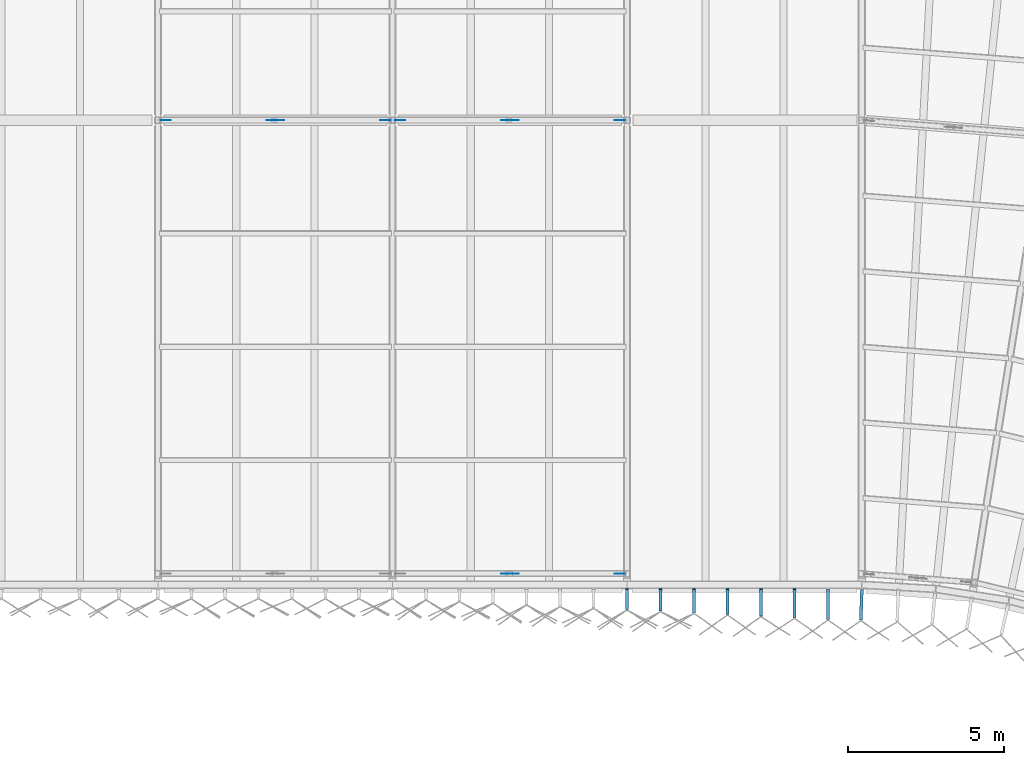
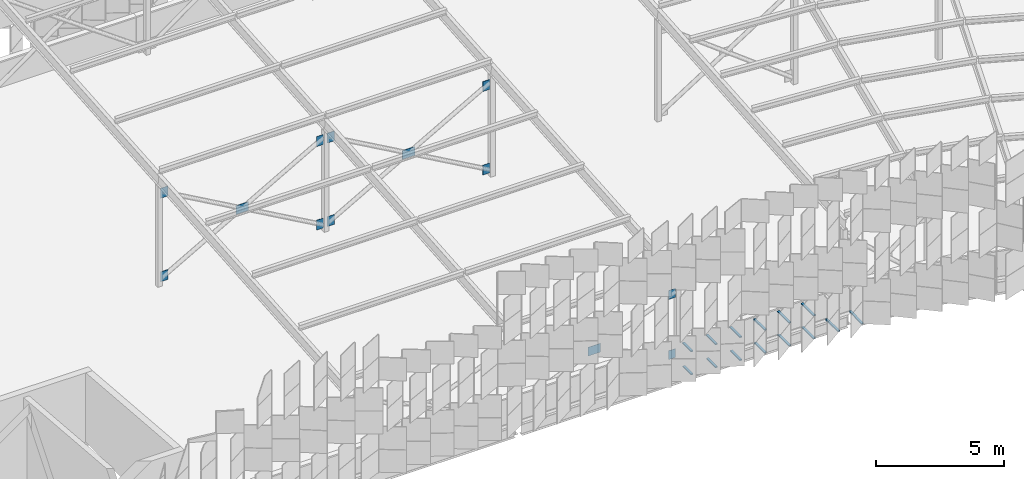
# One storey, part 447 of 483: 27 discrete accessories.
"""IFC4 building model written with IfcOpenShell, lengths in metres."""

import ifcopenshell
import ifcopenshell.guid

model = None  # the IFC model being written
_history = None  # IfcOwnerHistory: only IFC2X3 demands one
_inside = {}  # id of a spatial element -> (the spatial element, [elements in it])
_under = {}  # id of a project, library or spatial element -> (it, [spatial elements below it])
_declared = {}  # id of a project -> (the project, [libraries it declares])
_typed = {}  # id of a type object -> (the type object, [elements of that type])
_made_of = {}  # id of a material, layer set ... -> (it, [elements and type objects made of it])


def new_model(schema):
    """Start an empty IFC model of exactly this schema.

    Asked for "IFC4X3", IfcOpenShell would pick the latest addendum, in which some entities
    have other attributes; the version numbers below select the first issue.
    IFC2X3 requires an IfcOwnerHistory on every rooted entity: one is made here for all.
    """
    global model, _history
    if schema == "IFC4X3":
        model = ifcopenshell.file(schema_version=(4, 3, 0, 0))
    else:
        model = ifcopenshell.file(schema=schema)
    _inside.clear()
    _under.clear()
    _declared.clear()
    _typed.clear()
    _made_of.clear()
    _history = None
    if model.schema == "IFC2X3":
        org = make("IfcOrganization", Name="unknown")
        user = make(
            "IfcPersonAndOrganization",
            ThePerson=make("IfcPerson", FamilyName="unknown"),
            TheOrganization=org,
        )
        app = make(
            "IfcApplication",
            ApplicationDeveloper=org,
            Version="unknown",
            ApplicationFullName="unknown",
            ApplicationIdentifier="unknown",
        )
        _history = make(
            "IfcOwnerHistory",
            OwningUser=user,
            OwningApplication=app,
            ChangeAction="ADDED",
            CreationDate=0,
        )
    return model


def make(cls, **values):
    """One entity of the class cls with the attributes given. An attribute that is None is left unset."""
    return model.create_entity(
        cls, **{name: value for name, value in values.items() if value is not None}
    )


def rooted(cls, **values):
    """An entity with a GlobalId (a new one), such as an element, a storey or a relation."""
    return make(cls, GlobalId=ifcopenshell.guid.new(), OwnerHistory=_history, **values)


def si_unit(unit_type, name, prefix=None):
    """IfcSIUnit, for example si_unit("LENGTHUNIT", "METRE", prefix="MILLI")."""
    return make("IfcSIUnit", UnitType=unit_type, Prefix=prefix, Name=name)


def assignment(units):
    """IfcUnitAssignment: the units of a project."""
    return None if units is None else make("IfcUnitAssignment", Units=units)


def point(xyz):
    """IfcCartesianPoint."""
    return None if xyz is None else make("IfcCartesianPoint", Coordinates=xyz)


def direction(xyz):
    """IfcDirection."""
    return None if xyz is None else make("IfcDirection", DirectionRatios=xyz)


def frame(location, z_axis=None, x_axis=None):
    """IfcAxis2Placement3D, a coordinate frame: its origin and axes. An axis left out is left unset."""
    return make(
        "IfcAxis2Placement3D",
        Location=point(location),
        Axis=direction(z_axis),
        RefDirection=direction(x_axis),
    )


def frame_2d(location, x_axis=None):
    """IfcAxis2Placement2D, a coordinate frame in the plane: its origin and x axis."""
    return make(
        "IfcAxis2Placement2D", Location=point(location), RefDirection=direction(x_axis)
    )


def origin():
    """The frame at (0, 0, 0) with its axes left unset."""
    return frame((0.0, 0.0, 0.0))


def origin_2d():
    """The frame at (0, 0) in the plane with its x axis left unset."""
    return frame_2d((0.0, 0.0))


def place(relative_to, where):
    """IfcLocalPlacement: puts the frame where relative to a parent placement (None: the world)."""
    return make(
        "IfcLocalPlacement", PlacementRelTo=relative_to, RelativePlacement=where
    )


def context(
    kind, dimensions, precision=None, world=None, true_north=None, identifier=None
):
    """IfcGeometricRepresentationContext, for example the 3D "Model" context."""
    return make(
        "IfcGeometricRepresentationContext",
        ContextIdentifier=identifier,
        ContextType=kind,
        CoordinateSpaceDimension=dimensions,
        Precision=precision,
        WorldCoordinateSystem=world,
        TrueNorth=true_north,
    )


def subcontext(parent, identifier, kind, view, scale=None):
    """IfcGeometricRepresentationSubContext, for example "Body" below "Model"."""
    return make(
        "IfcGeometricRepresentationSubContext",
        ContextIdentifier=identifier,
        ContextType=kind,
        ParentContext=parent,
        TargetScale=scale,
        TargetView=view,
    )


def project(units=None, contexts=None):
    """IfcProject with its units and contexts."""
    return rooted(
        "IfcProject",
        Name="project",
        RepresentationContexts=contexts,
        UnitsInContext=assignment(units),
    )


def spatial(cls, under=None, at=None, **own):
    """A site, building, storey or space (cls), placed at a placement, below another one or the project."""
    s = rooted(cls, ObjectPlacement=at, **own)
    if under is not None:
        _under.setdefault(under.id(), (under, []))[1].append(s)
    return s


def polyline(points):
    """IfcPolyline through the points."""
    return make("IfcPolyline", Points=[point(p) for p in points])


def profile(cls, at=None, kind="AREA", **sizes):
    """A parametric profile (cls). Its sizes go by their IFC names, for example OverallWidth=200.0."""
    return make(cls, ProfileType=kind, Position=at, **sizes)


def rectangle(**sizes):
    """IfcRectangleProfileDef."""
    return profile("IfcRectangleProfileDef", **sizes)


def outline(outer, holes=None, kind="AREA"):
    """IfcArbitraryClosedProfileDef: a profile drawn as a closed curve; with holes, ...WithVoids."""
    if holes is None:
        return make("IfcArbitraryClosedProfileDef", ProfileType=kind, OuterCurve=outer)
    return make(
        "IfcArbitraryProfileDefWithVoids",
        ProfileType=kind,
        OuterCurve=outer,
        InnerCurves=holes,
    )


def extrude(swept, where, along, depth):
    """IfcExtrudedAreaSolid: the profile swept, set in the frame where, extruded along a direction by depth."""
    return make(
        "IfcExtrudedAreaSolid",
        SweptArea=swept,
        Position=where,
        ExtrudedDirection=direction(along),
        Depth=depth,
    )


def shape(context_of_items, identifier, shape_type, items):
    """IfcShapeRepresentation: the items that make up one representation, for example the "Body"."""
    return make(
        "IfcShapeRepresentation",
        ContextOfItems=context_of_items,
        RepresentationIdentifier=identifier,
        RepresentationType=shape_type,
        Items=items,
    )


def material(Name=None, Category=None):
    """IfcMaterial."""
    return make("IfcMaterial", Name=Name, Category=Category)


def layer(
    of_material, thickness, ventilated=None, Name=None, Category=None, Priority=None
):
    """IfcMaterialLayer: one layer of a wall or slab, of a material (None: an air gap)."""
    return make(
        "IfcMaterialLayer",
        Material=of_material,
        LayerThickness=thickness,
        IsVentilated=ventilated,
        Name=Name,
        Category=Category,
        Priority=Priority,
    )


def layer_set(layers, Name=None):
    """IfcMaterialLayerSet."""
    return make("IfcMaterialLayerSet", MaterialLayers=layers, LayerSetName=Name)


def made_of(thing, what):
    """Note that an element or type object is made of a material, layer set ...; save() writes the relation."""
    if what is not None:
        _made_of.setdefault(what.id(), (what, []))[1].append(thing)
    return thing


def type_object(cls, material=None, **own):
    """A type object (cls), such as IfcWallType, which elements share."""
    return made_of(rooted(cls, **own), material)


def element(
    cls,
    number,
    at=None,
    inside=None,
    cuts=None,
    type_object=None,
    material=None,
    context=None,
    identifier="Body",
    shape_type=None,
    held_by="IfcProductDefinitionShape",
    body=None,
    shapes=None,
    **own,
):
    """One element of the class cls, such as IfcWall. Its Tag is "e" and its number.

    at: its placement. inside: the storey or other place that contains it. cuts: it is an
    opening in that element (IfcRelVoidsElement). A single representation is given by context,
    identifier, shape_type and body (its items); several are given by shapes. held_by: the class
    of the entity that holds the representations. save() writes the other relations.
    """
    e = rooted(cls, Tag="e%d" % number, ObjectPlacement=at, **own)
    if body is not None:
        shapes = [shape(context, identifier, shape_type, body)]
    if shapes is not None:
        e.Representation = make(held_by, Representations=shapes)
    if inside is not None:
        _inside.setdefault(inside.id(), (inside, []))[1].append(e)
    if cuts is not None:
        rooted(
            "IfcRelVoidsElement", RelatingBuildingElement=cuts, RelatedOpeningElement=e
        )
    if type_object is not None:
        _typed.setdefault(type_object.id(), (type_object, []))[1].append(e)
    return made_of(e, material)


def aggregate(whole, parts):
    """IfcRelAggregates: a whole, such as a stair, and the parts it consists of."""
    return rooted("IfcRelAggregates", RelatingObject=whole, RelatedObjects=parts)


def save(model, path):
    """Write the relations noted so far, then the file.

    IfcRelAggregates (storeys below a building ...), IfcRelContainedInSpatialStructure (elements
    in a storey), IfcRelDefinesByType, IfcRelAssociatesMaterial and IfcRelDeclares: one each for
    every whole, place, type object, material and project.
    """
    for whole, parts in _under.values():
        aggregate(whole, parts)
    for where, things in _inside.values():
        rooted(
            "IfcRelContainedInSpatialStructure",
            RelatedElements=things,
            RelatingStructure=where,
        )
    for kind, things in _typed.values():
        rooted("IfcRelDefinesByType", RelatedObjects=things, RelatingType=kind)
    for what, things in _made_of.values():
        rooted("IfcRelAssociatesMaterial", RelatedObjects=things, RelatingMaterial=what)
    for by, libraries in _declared.values():
        rooted("IfcRelDeclares", RelatingContext=by, RelatedDefinitions=libraries)
    model.write(path)


model = new_model("IFC4")

# Units and contexts
model_context = context("Model", 3, precision=1e-05, world=origin(), true_north=direction((0.0, 1.0)))
body_context = subcontext(model_context, "Body", "Model", "MODEL_VIEW")
ifc_project = project(units=[si_unit("LENGTHUNIT", "METRE"), si_unit("AREAUNIT", "SQUARE_METRE"), si_unit("VOLUMEUNIT", "CUBIC_METRE"), si_unit("PLANEANGLEUNIT", "RADIAN"), si_unit("MASSUNIT", "GRAM", prefix="KILO")], contexts=[model_context])

# Site, building, storey
site_placement = place(None, origin())
site = spatial("IfcSite", under=ifc_project, at=site_placement, CompositionType="ELEMENT")
building_placement = place(site_placement, origin())
building = spatial("IfcBuilding", under=site, at=building_placement, Name="Parallax Yard Mobility Hub", CompositionType="ELEMENT")
storey_placement = place(building_placement, frame((0.0, 0.0, 13.199951171875)))
storey = spatial("IfcBuildingStorey", under=building, at=storey_placement, Name="L04", CompositionType="ELEMENT", Elevation=13.199951171875)

# Discrete accessories
ifc_material_1 = material(Name="Steel ASTM A36", Category="steel")
ifc_layer = layer(ifc_material_1, 0.011962890625)
ifc_layer_set = layer_set([ifc_layer], Name="Gusset plate PL12")
discrete_accessory_type_1 = type_object("IfcDiscreteAccessoryType", Name="Gusset plate PL12", PredefinedType="BRACKET", material=ifc_layer_set)
discrete_accessory_1_placement = place(storey_placement, frame((0.0, 0.0, 0.150146484375)))
element("IfcDiscreteAccessory", 1, at=discrete_accessory_1_placement, inside=storey, type_object=discrete_accessory_type_1, Name="Gusset plate PL12 RB bay N-C bay 1 foot on post N-C1", PredefinedType="BRACKET", context=body_context, shape_type="SweptSolid", body=[
    extrude(outline(polyline([(150.08154296875, 127.493896484375), (150.401611328125, 127.493896484375), (150.401611328125, 127.506103515625), (150.08154296875, 127.506103515625), (150.08154296875, 127.493896484375)])), origin(), (0.0, 0.0, 1.0), 0.4697265625),
])
discrete_accessory_2_placement = place(storey_placement, frame((0.0, 0.0, 4.130126953125)))
element("IfcDiscreteAccessory", 2, at=discrete_accessory_2_placement, inside=storey, type_object=discrete_accessory_type_1, Name="Gusset plate PL12 RB bay N-C bay 1 head on post N-C2", PredefinedType="BRACKET", context=body_context, shape_type="SweptSolid", body=[
    extrude(outline(polyline([(157.41845703125, 127.506103515625), (157.098388671875, 127.506103515625), (157.098388671875, 127.493896484375), (157.41845703125, 127.493896484375), (157.41845703125, 127.506103515625)])), origin(), (0.0, 0.0, 1.0), 0.469970703125),
])
discrete_accessory_3_placement = place(storey_placement, frame((0.0, 0.0, 0.150146484375)))
element("IfcDiscreteAccessory", 3, at=discrete_accessory_3_placement, inside=storey, type_object=discrete_accessory_type_1, Name="Gusset plate PL12 RB bay N-C bay 1 foot on post N-C2", PredefinedType="BRACKET", context=body_context, shape_type="SweptSolid", body=[
    extrude(outline(polyline([(157.41845703125, 127.506103515625), (157.098388671875, 127.506103515625), (157.098388671875, 127.493896484375), (157.41845703125, 127.493896484375), (157.41845703125, 127.506103515625)])), origin(), (0.0, 0.0, 1.0), 0.4697265625),
])
discrete_accessory_4_placement = place(storey_placement, frame((0.0, 0.0, 4.130126953125)))
element("IfcDiscreteAccessory", 4, at=discrete_accessory_4_placement, inside=storey, type_object=discrete_accessory_type_1, Name="Gusset plate PL12 RB bay N-C bay 1 head on post N-C1", PredefinedType="BRACKET", context=body_context, shape_type="SweptSolid", body=[
    extrude(outline(polyline([(150.08154296875, 127.493896484375), (150.401611328125, 127.493896484375), (150.401611328125, 127.506103515625), (150.08154296875, 127.506103515625), (150.08154296875, 127.493896484375)])), origin(), (0.0, 0.0, 1.0), 0.469970703125),
])
discrete_accessory_5_placement = place(storey_placement, frame((0.0, 0.0, 2.1650390625)))
element("IfcDiscreteAccessory", 5, at=discrete_accessory_5_placement, inside=storey, type_object=discrete_accessory_type_1, Name="Gusset plate PL12 RB bay N-C bay 1 crossing node", PredefinedType="BRACKET", context=body_context, shape_type="SweptSolid", body=[
    extrude(outline(polyline([(153.469970703125, 127.493896484375), (154.030029296875, 127.493896484375), (154.030029296875, 127.506103515625), (153.469970703125, 127.506103515625), (153.469970703125, 127.493896484375)])), origin(), (0.0, 0.0, 1.0), 0.419921875),
])
for number, where, name in (
    (6, (0.0, 0.0, 3.017578125), "Gusset plate PL12 RA bay N-C bay 2 head on post N-C3"),
    (7, (0.0, 0.0, 0.150146484375), "Gusset plate PL12 RA bay N-C bay 2 foot on post N-C3"),
):
    element("IfcDiscreteAccessory", number, at=place(storey_placement, frame(where)), inside=storey, type_object=discrete_accessory_type_1, Name=name, PredefinedType="BRACKET", context=body_context, shape_type="SweptSolid", body=[
        extrude(outline(polyline([(164.91845703125, 113.006103515625), (164.598388671875, 113.006103515625), (164.598388671875, 112.993896484375), (164.91845703125, 112.993896484375), (164.91845703125, 113.006103515625)])), origin(), (0.0, 0.0, 1.0), 0.42236328125),
    ])
discrete_accessory_6_placement = place(storey_placement, frame((0.0, 0.0, 1.5849609375)))
element("IfcDiscreteAccessory", 8, at=discrete_accessory_6_placement, inside=storey, type_object=discrete_accessory_type_1, Name="Gusset plate PL12 RA bay N-C bay 2 crossing node", PredefinedType="BRACKET", context=body_context, shape_type="SweptSolid", body=[
    extrude(outline(polyline([(160.969970703125, 112.993896484375), (161.530029296875, 112.993896484375), (161.530029296875, 113.006103515625), (160.969970703125, 113.006103515625), (160.969970703125, 112.993896484375)])), origin(), (0.0, 0.0, 1.0), 0.420166015625),
])
discrete_accessory_7_placement = place(storey_placement, frame((0.0, 0.0, 0.150146484375)))
element("IfcDiscreteAccessory", 9, at=discrete_accessory_7_placement, inside=storey, type_object=discrete_accessory_type_1, Name="Gusset plate PL12 RB bay N-C bay 2 foot on post N-C2", PredefinedType="BRACKET", context=body_context, shape_type="SweptSolid", body=[
    extrude(outline(polyline([(157.58154296875, 127.493896484375), (157.901611328125, 127.493896484375), (157.901611328125, 127.506103515625), (157.58154296875, 127.506103515625), (157.58154296875, 127.493896484375)])), origin(), (0.0, 0.0, 1.0), 0.4697265625),
])
discrete_accessory_8_placement = place(storey_placement, frame((0.0, 0.0, 4.130126953125)))
element("IfcDiscreteAccessory", 10, at=discrete_accessory_8_placement, inside=storey, type_object=discrete_accessory_type_1, Name="Gusset plate PL12 RB bay N-C bay 2 head on post N-C3", PredefinedType="BRACKET", context=body_context, shape_type="SweptSolid", body=[
    extrude(outline(polyline([(164.91845703125, 127.506103515625), (164.598388671875, 127.506103515625), (164.598388671875, 127.493896484375), (164.91845703125, 127.493896484375), (164.91845703125, 127.506103515625)])), origin(), (0.0, 0.0, 1.0), 0.469970703125),
])
discrete_accessory_9_placement = place(storey_placement, frame((0.0, 0.0, 0.150146484375)))
element("IfcDiscreteAccessory", 11, at=discrete_accessory_9_placement, inside=storey, type_object=discrete_accessory_type_1, Name="Gusset plate PL12 RB bay N-C bay 2 foot on post N-C3", PredefinedType="BRACKET", context=body_context, shape_type="SweptSolid", body=[
    extrude(outline(polyline([(164.91845703125, 127.506103515625), (164.598388671875, 127.506103515625), (164.598388671875, 127.493896484375), (164.91845703125, 127.493896484375), (164.91845703125, 127.506103515625)])), origin(), (0.0, 0.0, 1.0), 0.4697265625),
])
discrete_accessory_10_placement = place(storey_placement, frame((0.0, 0.0, 4.130126953125)))
element("IfcDiscreteAccessory", 12, at=discrete_accessory_10_placement, inside=storey, type_object=discrete_accessory_type_1, Name="Gusset plate PL12 RB bay N-C bay 2 head on post N-C2", PredefinedType="BRACKET", context=body_context, shape_type="SweptSolid", body=[
    extrude(outline(polyline([(157.58154296875, 127.493896484375), (157.901611328125, 127.493896484375), (157.901611328125, 127.506103515625), (157.58154296875, 127.506103515625), (157.58154296875, 127.493896484375)])), origin(), (0.0, 0.0, 1.0), 0.469970703125),
])
discrete_accessory_11_placement = place(storey_placement, frame((0.0, 0.0, 2.1650390625)))
element("IfcDiscreteAccessory", 13, at=discrete_accessory_11_placement, inside=storey, type_object=discrete_accessory_type_1, Name="Gusset plate PL12 RB bay N-C bay 2 crossing node", PredefinedType="BRACKET", context=body_context, shape_type="SweptSolid", body=[
    extrude(outline(polyline([(160.969970703125, 127.493896484375), (161.530029296875, 127.493896484375), (161.530029296875, 127.506103515625), (160.969970703125, 127.506103515625), (160.969970703125, 127.493896484375)])), origin(), (0.0, 0.0, 1.0), 0.419921875),
])
ifc_material_2 = material(Name="Steel ASTM A36, hot-dip galvanised", Category="steel")
discrete_accessory_type_2 = type_object("IfcDiscreteAccessoryType", Name="Hinge bracket plate 100x50", PredefinedType="BRACKET", material=ifc_material_2)
discrete_accessory_12_placement = place(storey_placement, frame((164.99462890625, 112.17724609375, -0.02490234375), z_axis=(0.0, 0.0, 1.0), x_axis=(0.0, -1.0, 0.0)))
element("IfcDiscreteAccessory", 14, at=discrete_accessory_12_placement, inside=storey, type_object=discrete_accessory_type_2, Name="Hinge bracket plate bay 17.1 level L04", PredefinedType="BRACKET", context=body_context, shape_type="SweptSolid", body=[
    extrude(rectangle(XDim=0.646484375, YDim=0.10009765625, at=origin_2d()), origin(), (0.0, 0.0, 1.0), 0.050048828125),
])
discrete_accessory_13_placement = place(storey_placement, frame((164.99462890625, 112.2001953125, 1.06982421875), z_axis=(0.0, 0.0, 1.0), x_axis=(0.0, -1.0, 0.0)))
element("IfcDiscreteAccessory", 15, at=discrete_accessory_13_placement, inside=storey, type_object=discrete_accessory_type_2, Name="Hinge bracket plate bay 17.1 level L04", PredefinedType="BRACKET", context=body_context, shape_type="SweptSolid", body=[
    extrude(rectangle(XDim=0.692626953125, YDim=0.10009765625, at=origin_2d()), origin(), (0.0, 0.0, 1.0), 0.050048828125),
])
discrete_accessory_14_placement = place(storey_placement, frame((166.066162109375, 112.150390625, -0.02490234375), z_axis=(0.0, 0.0, 1.0), x_axis=(0.0, -1.0, 0.0)))
element("IfcDiscreteAccessory", 16, at=discrete_accessory_14_placement, inside=storey, type_object=discrete_accessory_type_2, Name="Hinge bracket plate bay 17.2 level L04", PredefinedType="BRACKET", context=body_context, shape_type="SweptSolid", body=[
    extrude(rectangle(XDim=0.7001953125, YDim=0.10009765625, at=origin_2d()), origin(), (0.0, 0.0, 1.0), 0.050048828125),
])
discrete_accessory_15_placement = place(storey_placement, frame((166.066162109375, 112.17333984375, 1.06982421875), z_axis=(0.0, 0.0, 1.0), x_axis=(0.0, -1.0, 0.0)))
element("IfcDiscreteAccessory", 17, at=discrete_accessory_15_placement, inside=storey, type_object=discrete_accessory_type_2, Name="Hinge bracket plate bay 17.2 level L04", PredefinedType="BRACKET", context=body_context, shape_type="SweptSolid", body=[
    extrude(rectangle(XDim=0.74609375, YDim=0.10009765625, at=origin_2d()), origin(), (0.0, 0.0, 1.0), 0.050048828125),
])
discrete_accessory_16_placement = place(storey_placement, frame((167.1376953125, 112.12353515625, -0.02490234375), z_axis=(0.0, 0.0, 1.0), x_axis=(0.0, -1.0, 0.0)))
element("IfcDiscreteAccessory", 18, at=discrete_accessory_16_placement, inside=storey, type_object=discrete_accessory_type_2, Name="Hinge bracket plate bay 17.3 level L04", PredefinedType="BRACKET", context=body_context, shape_type="SweptSolid", body=[
    extrude(rectangle(XDim=0.75390625, YDim=0.10009765625, at=origin_2d()), origin(), (0.0, 0.0, 1.0), 0.050048828125),
])
discrete_accessory_17_placement = place(storey_placement, frame((167.1376953125, 112.146484375, 1.06982421875), z_axis=(0.0, 0.0, 1.0), x_axis=(0.0, -1.0, 0.0)))
element("IfcDiscreteAccessory", 19, at=discrete_accessory_17_placement, inside=storey, type_object=discrete_accessory_type_2, Name="Hinge bracket plate bay 17.3 level L04", PredefinedType="BRACKET", context=body_context, shape_type="SweptSolid", body=[
    extrude(rectangle(XDim=0.7998046875, YDim=0.10009765625, at=origin_2d()), origin(), (0.0, 0.0, 1.0), 0.050048828125),
])
discrete_accessory_18_placement = place(storey_placement, frame((168.208984375, 112.0966796875, -0.02490234375), z_axis=(0.0, 0.0, 1.0), x_axis=(0.0, -1.0, 0.0)))
element("IfcDiscreteAccessory", 20, at=discrete_accessory_18_placement, inside=storey, type_object=discrete_accessory_type_2, Name="Hinge bracket plate bay 17.4 level L04", PredefinedType="BRACKET", context=body_context, shape_type="SweptSolid", body=[
    extrude(rectangle(XDim=0.807373046875, YDim=0.10009765625, at=origin_2d()), origin(), (0.0, 0.0, 1.0), 0.050048828125),
])
discrete_accessory_19_placement = place(storey_placement, frame((168.208984375, 112.119873046875, 1.06982421875), z_axis=(0.0, 0.0, 1.0), x_axis=(0.0, -1.0, 0.0)))
element("IfcDiscreteAccessory", 21, at=discrete_accessory_19_placement, inside=storey, type_object=discrete_accessory_type_2, Name="Hinge bracket plate bay 17.4 level L04", PredefinedType="BRACKET", context=body_context, shape_type="SweptSolid", body=[
    extrude(rectangle(XDim=0.853515625, YDim=0.10009765625, at=origin_2d()), origin(), (0.0, 0.0, 1.0), 0.050048828125),
])
discrete_accessory_20_placement = place(storey_placement, frame((169.280517578125, 112.070068359375, -0.02490234375), z_axis=(0.0, 0.0, 1.0), x_axis=(0.0, -1.0, 0.0)))
element("IfcDiscreteAccessory", 22, at=discrete_accessory_20_placement, inside=storey, type_object=discrete_accessory_type_2, Name="Hinge bracket plate bay 17.5 level L04", PredefinedType="BRACKET", context=body_context, shape_type="SweptSolid", body=[
    extrude(rectangle(XDim=0.86083984375, YDim=0.10009765625, at=origin_2d()), origin(), (0.0, 0.0, 1.0), 0.050048828125),
])
discrete_accessory_21_placement = place(storey_placement, frame((169.280517578125, 112.093017578125, 1.06982421875), z_axis=(0.0, 0.0, 1.0), x_axis=(0.0, -1.0, 0.0)))
element("IfcDiscreteAccessory", 23, at=discrete_accessory_21_placement, inside=storey, type_object=discrete_accessory_type_2, Name="Hinge bracket plate bay 17.5 level L04", PredefinedType="BRACKET", context=body_context, shape_type="SweptSolid", body=[
    extrude(rectangle(XDim=0.906982421875, YDim=0.10009765625, at=origin_2d()), origin(), (0.0, 0.0, 1.0), 0.050048828125),
])
discrete_accessory_22_placement = place(storey_placement, frame((170.35205078125, 112.043212890625, -0.02490234375), z_axis=(0.0, 0.0, 1.0), x_axis=(0.0, -1.0, 0.0)))
element("IfcDiscreteAccessory", 24, at=discrete_accessory_22_placement, inside=storey, type_object=discrete_accessory_type_2, Name="Hinge bracket plate bay 17.6 level L04", PredefinedType="BRACKET", context=body_context, shape_type="SweptSolid", body=[
    extrude(rectangle(XDim=0.91455078125, YDim=0.10009765625, at=origin_2d()), origin(), (0.0, 0.0, 1.0), 0.050048828125),
])
discrete_accessory_23_placement = place(storey_placement, frame((170.35205078125, 112.066162109375, 1.06982421875), z_axis=(0.0, 0.0, 1.0), x_axis=(0.0, -1.0, 0.0)))
element("IfcDiscreteAccessory", 25, at=discrete_accessory_23_placement, inside=storey, type_object=discrete_accessory_type_2, Name="Hinge bracket plate bay 17.6 level L04", PredefinedType="BRACKET", context=body_context, shape_type="SweptSolid", body=[
    extrude(rectangle(XDim=0.96044921875, YDim=0.10009765625, at=origin_2d()), origin(), (0.0, 0.0, 1.0), 0.050048828125),
])
discrete_accessory_24_placement = place(storey_placement, frame((171.423583984375, 112.0166015625, -0.02490234375), z_axis=(0.0, 0.0, 1.0), x_axis=(0.0, -1.0, 0.0)))
element("IfcDiscreteAccessory", 26, at=discrete_accessory_24_placement, inside=storey, type_object=discrete_accessory_type_2, Name="Hinge bracket plate bay 17.7 level L04", PredefinedType="BRACKET", context=body_context, shape_type="SweptSolid", body=[
    extrude(rectangle(XDim=0.968017578125, YDim=0.10009765625, at=origin_2d()), origin(), (0.0, 0.0, 1.0), 0.050048828125),
])
discrete_accessory_25_placement = place(storey_placement, frame((172.48876953125, 112.008544921875, -0.02490234375), z_axis=(0.0, 0.0, 1.0), x_axis=(-0.032719082822, -0.999464587476, 0.0)))
element("IfcDiscreteAccessory", 27, at=discrete_accessory_25_placement, inside=storey, type_object=discrete_accessory_type_2, Name="Hinge bracket plate bay 18.1 level L04", PredefinedType="BRACKET", context=body_context, shape_type="SweptSolid", body=[
    extrude(rectangle(XDim=0.984130859375, YDim=0.10009765625, at=origin_2d()), origin(), (0.0, 0.0, 1.0), 0.050048828125),
])

save(model, "model.ifc")
